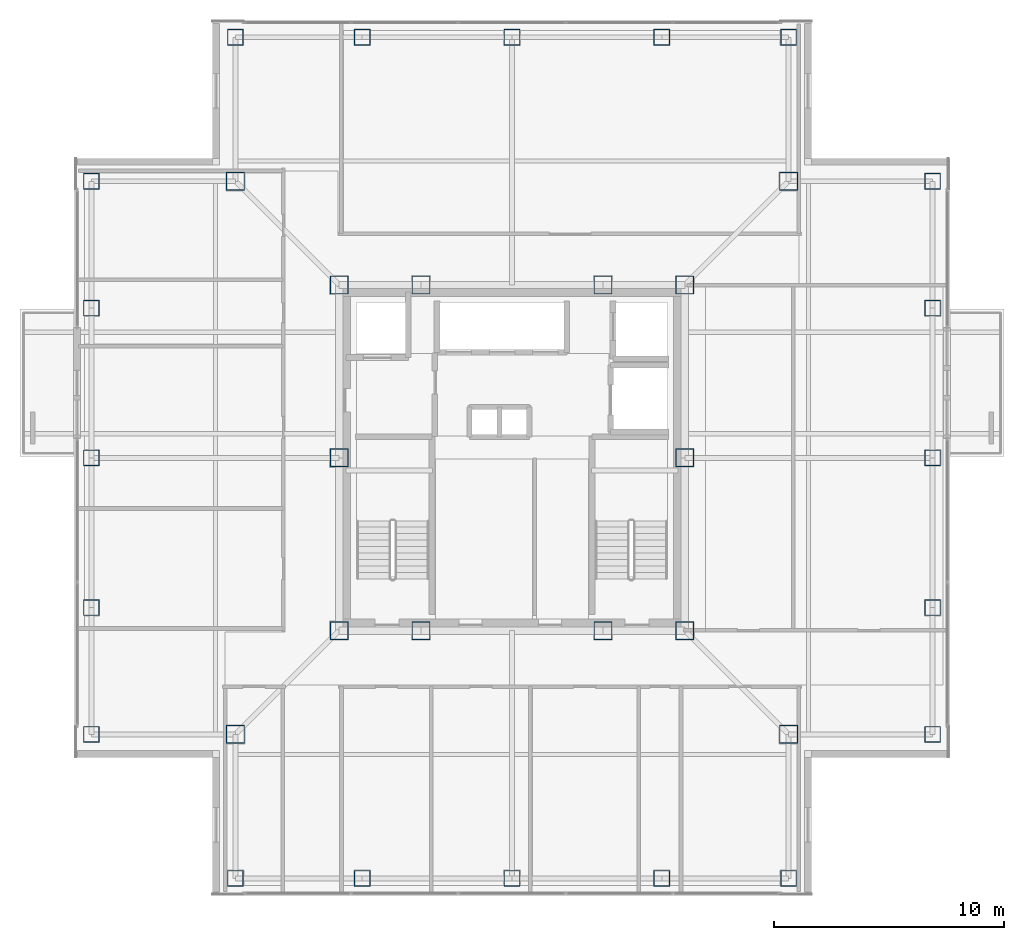
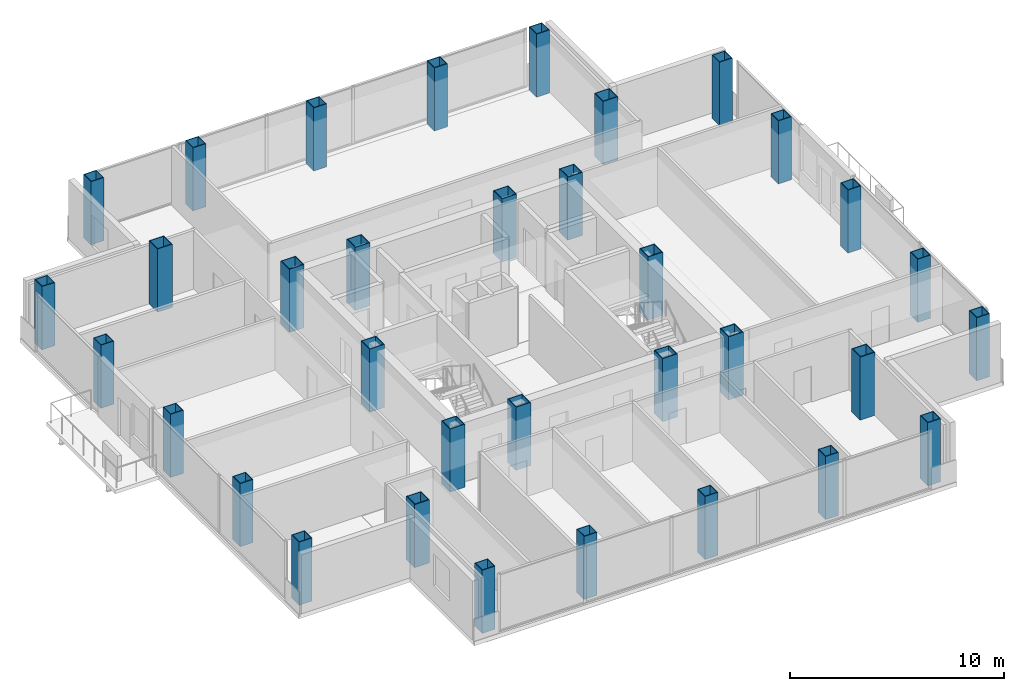
# One storey, part 1 of 13: 34 columns.
"""IFC4 building model written with IfcOpenShell, lengths in metres."""

from ifc_helpers import new_model, si_unit, direction, frame, origin, origin_2d, place, context, subcontext, project, spatial, hollow_rectangle, extrude, material, material_profile, profile_set, type_object, element, save


model = new_model("IFC4")

# Units and contexts
model_context = context("Model", 3, precision=1e-05, world=origin(), true_north=direction((0.0, 1.0)))
body_context = subcontext(model_context, "Body", "Model", "MODEL_VIEW")
ifc_project = project(units=[si_unit("LENGTHUNIT", "METRE"), si_unit("AREAUNIT", "SQUARE_METRE"), si_unit("VOLUMEUNIT", "CUBIC_METRE"), si_unit("PLANEANGLEUNIT", "RADIAN"), si_unit("MASSUNIT", "GRAM", prefix="KILO")], contexts=[model_context])

# Site, building, storey
site_placement = place(None, origin())
site = spatial("IfcSite", under=ifc_project, at=site_placement, CompositionType="ELEMENT")
building_placement = place(site_placement, origin())
building = spatial("IfcBuilding", under=site, at=building_placement, Name="Trevonay Congress Spire", CompositionType="ELEMENT")
storey_placement = place(building_placement, frame((0.0, 0.0, 286.39990234375)))
storey = spatial("IfcBuildingStorey", under=building, at=storey_placement, Name="L75", CompositionType="ELEMENT", Elevation=286.39990234375)

# Columns
ifc_material = material(Name="Steel ASTM A572 Grade 50", Category="steel")
ifc_material_profile_1 = material_profile(ifc_material, hollow_rectangle(XDim=0.800048828125, YDim=0.800048828125, WallThickness=0.0400390625, at=origin_2d()), Name="BOX 800x800x40")
ifc_profile_set_1 = profile_set([ifc_material_profile_1], Name="Steel ASTM A572 Grade 50")
column_type_1 = type_object("IfcColumnType", Name="COL-CORE-BOX800", PredefinedType="COLUMN", material=ifc_profile_set_1)
for number, where, z_axis, x_axis, name in (
    (1, (-7.5, -7.5, 0.0), (0.0, 0.0, 1.0), (1.0, 0.0, 0.0), "L75 column C05 at CC-SW"),
    (2, (-3.949951171875, -7.5, 0.0), (0.0, 0.0, 1.0), (1.0, 0.0, 0.0), "L75 column C05 at CC-SMW"),
    (3, (3.949951171875, -7.5, 0.0), (0.0, 0.0, 1.0), (1.0, 0.0, 0.0), "L75 column C05 at CC-SME"),
    (4, (7.5, -7.5, 0.0), (0.0, 0.0, 1.0), (1.0, 0.0, 0.0), "L75 column C05 at CC-SE"),
    (5, (7.5, 0.0, 0.0), (0.0, 0.0, 1.0), (1.0, 0.0, 0.0), "L75 column C05 at CC-E"),
    (6, (7.5, 7.5, 0.0), (0.0, 0.0, 1.0), (1.0, 0.0, 0.0), "L75 column C05 at CC-NE"),
    (7, (3.949951171875, 7.5, 0.0), (0.0, 0.0, 1.0), (1.0, 0.0, 0.0), "L75 column C05 at CC-NME"),
    (8, (-3.949951171875, 7.5, 0.0), (0.0, 0.0, 1.0), (1.0, 0.0, 0.0), "L75 column C05 at CC-NMW"),
    (9, (-7.5, 7.5, 0.0), (0.0, 0.0, 1.0), (1.0, 0.0, 0.0), "L75 column C05 at CC-NW"),
    (10, (-7.5, 0.0, 0.0), (0.0, 0.0, 1.0), (1.0, 0.0, 0.0), "L75 column C05 at CC-W"),
):
    element("IfcColumn", number, at=place(storey_placement, frame(where, z_axis=z_axis, x_axis=x_axis)), inside=storey, type_object=column_type_1, Name=name, PredefinedType="COLUMN", context=body_context, shape_type="SweptSolid", body=[
        extrude(hollow_rectangle(XDim=0.800048828125, YDim=0.800048828125, WallThickness=0.0400390625, at=origin_2d()), origin(), (0.0, 0.0, 1.0), 3.60009765625),
    ])
ifc_material_profile_2 = material_profile(ifc_material, hollow_rectangle(XDim=0.699951171875, YDim=0.699951171875, WallThickness=0.034912109375, at=origin_2d()), Name="BOX 700x700x35")
ifc_profile_set_2 = profile_set([ifc_material_profile_2], Name="Steel ASTM A572 Grade 50")
column_type_2 = type_object("IfcColumnType", Name="COL-TUBE-BOX700", PredefinedType="COLUMN", material=ifc_profile_set_2)
for number, where, z_axis, x_axis, name in (
    (11, (-12.0, -18.25, 0.0), (0.0, 0.0, 1.0), (1.0, 0.0, 0.0), "L75 column C17 at TS-1"),
    (12, (-12.0, 18.25, 0.0), (0.0, 0.0, 1.0), (1.0, 0.0, 0.0), "L75 column C17 at TN-1"),
    (13, (-18.25, -12.0, 0.0), (0.0, 0.0, 1.0), (1.0, 0.0, 0.0), "L75 column C17 at TW-1"),
    (14, (18.25, -12.0, 0.0), (0.0, 0.0, 1.0), (1.0, 0.0, 0.0), "L75 column C17 at TE-1"),
    (15, (-6.5, -18.25, 0.0), (0.0, 0.0, 1.0), (1.0, 0.0, 0.0), "L75 column C17 at TS-2"),
    (16, (-6.5, 18.25, 0.0), (0.0, 0.0, 1.0), (1.0, 0.0, 0.0), "L75 column C17 at TN-2"),
    (17, (-18.25, -6.5, 0.0), (0.0, 0.0, 1.0), (1.0, 0.0, 0.0), "L75 column C17 at TW-2"),
    (18, (18.25, -6.5, 0.0), (0.0, 0.0, 1.0), (1.0, 0.0, 0.0), "L75 column C17 at TE-2"),
    (19, (0.0, -18.25, 0.0), (0.0, 0.0, 1.0), (1.0, 0.0, 0.0), "L75 column C17 at TS-3"),
    (20, (0.0, 18.25, 0.0), (0.0, 0.0, 1.0), (1.0, 0.0, 0.0), "L75 column C17 at TN-3"),
    (21, (-18.25, 0.0, 0.0), (0.0, 0.0, 1.0), (1.0, 0.0, 0.0), "L75 column C17 at TW-3"),
    (22, (18.25, 0.0, 0.0), (0.0, 0.0, 1.0), (1.0, 0.0, 0.0), "L75 column C17 at TE-3"),
    (23, (6.5, -18.25, 0.0), (0.0, 0.0, 1.0), (1.0, 0.0, 0.0), "L75 column C17 at TS-4"),
    (24, (6.5, 18.25, 0.0), (0.0, 0.0, 1.0), (1.0, 0.0, 0.0), "L75 column C17 at TN-4"),
    (25, (-18.25, 6.5, 0.0), (0.0, 0.0, 1.0), (1.0, 0.0, 0.0), "L75 column C17 at TW-4"),
    (26, (18.25, 6.5, 0.0), (0.0, 0.0, 1.0), (1.0, 0.0, 0.0), "L75 column C17 at TE-4"),
    (27, (12.0, -18.25, 0.0), (0.0, 0.0, 1.0), (1.0, 0.0, 0.0), "L75 column C17 at TS-5"),
    (28, (12.0, 18.25, 0.0), (0.0, 0.0, 1.0), (1.0, 0.0, 0.0), "L75 column C17 at TN-5"),
    (29, (-18.25, 12.0, 0.0), (0.0, 0.0, 1.0), (1.0, 0.0, 0.0), "L75 column C17 at TW-5"),
    (30, (18.25, 12.0, 0.0), (0.0, 0.0, 1.0), (1.0, 0.0, 0.0), "L75 column C17 at TE-5"),
):
    element("IfcColumn", number, at=place(storey_placement, frame(where, z_axis=z_axis, x_axis=x_axis)), inside=storey, type_object=column_type_2, Name=name, PredefinedType="COLUMN", context=body_context, shape_type="SweptSolid", body=[
        extrude(hollow_rectangle(XDim=0.699951171875, YDim=0.699951171875, WallThickness=0.034912109375, at=origin_2d()), origin(), (0.0, 0.0, 1.0), 3.60009765625),
    ])
ifc_material_profile_3 = material_profile(ifc_material, hollow_rectangle(XDim=0.800048828125, YDim=0.800048828125, WallThickness=0.0400390625, at=origin_2d()), Name="BOX 800x800x40")
ifc_profile_set_3 = profile_set([ifc_material_profile_3], Name="Steel ASTM A572 Grade 50")
column_type_3 = type_object("IfcColumnType", Name="COL-TUBE-BOX800", PredefinedType="COLUMN", material=ifc_profile_set_3)
for number, where, z_axis, x_axis, name in (
    (31, (-12.0, -12.0, 0.0), (0.0, 0.0, 1.0), (1.0, 0.0, 0.0), "L75 column C16 at NC-SW"),
    (32, (12.0, -12.0, 0.0), (0.0, 0.0, 1.0), (1.0, 0.0, 0.0), "L75 column C16 at NC-SE"),
    (33, (12.0, 12.0, 0.0), (0.0, 0.0, 1.0), (1.0, 0.0, 0.0), "L75 column C16 at NC-NE"),
    (34, (-12.0, 12.0, 0.0), (0.0, 0.0, 1.0), (1.0, 0.0, 0.0), "L75 column C16 at NC-NW"),
):
    element("IfcColumn", number, at=place(storey_placement, frame(where, z_axis=z_axis, x_axis=x_axis)), inside=storey, type_object=column_type_3, Name=name, PredefinedType="COLUMN", context=body_context, shape_type="SweptSolid", body=[
        extrude(hollow_rectangle(XDim=0.800048828125, YDim=0.800048828125, WallThickness=0.0400390625, at=origin_2d()), origin(), (0.0, 0.0, 1.0), 3.60009765625),
    ])

save(model, "model.ifc")
